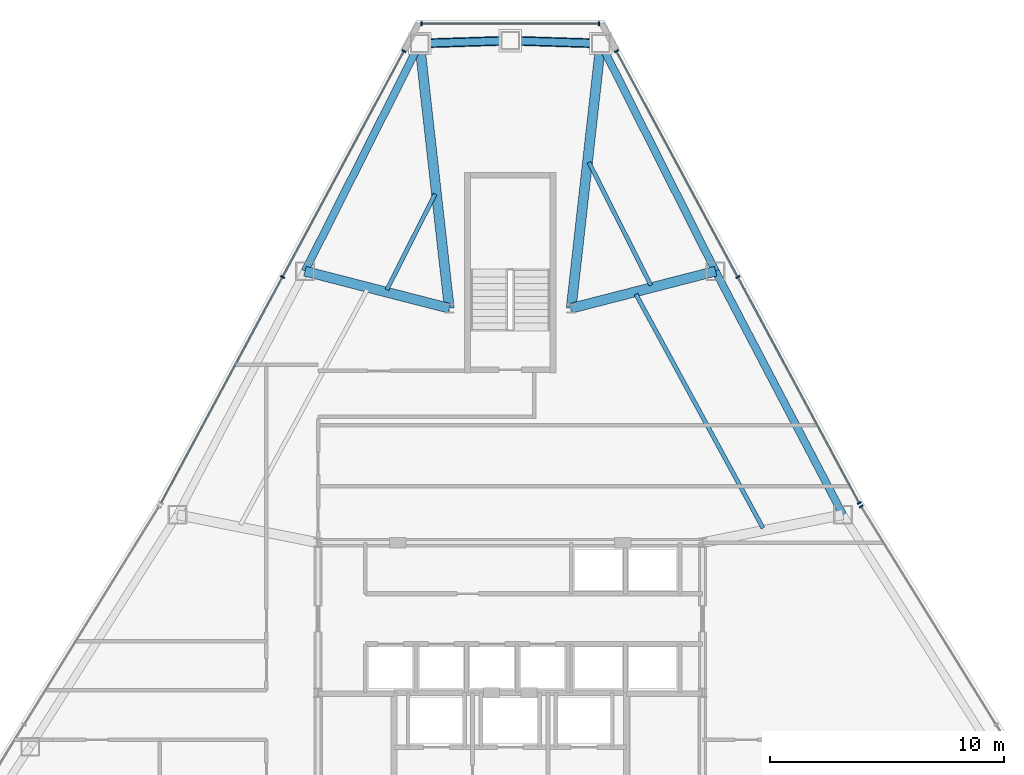
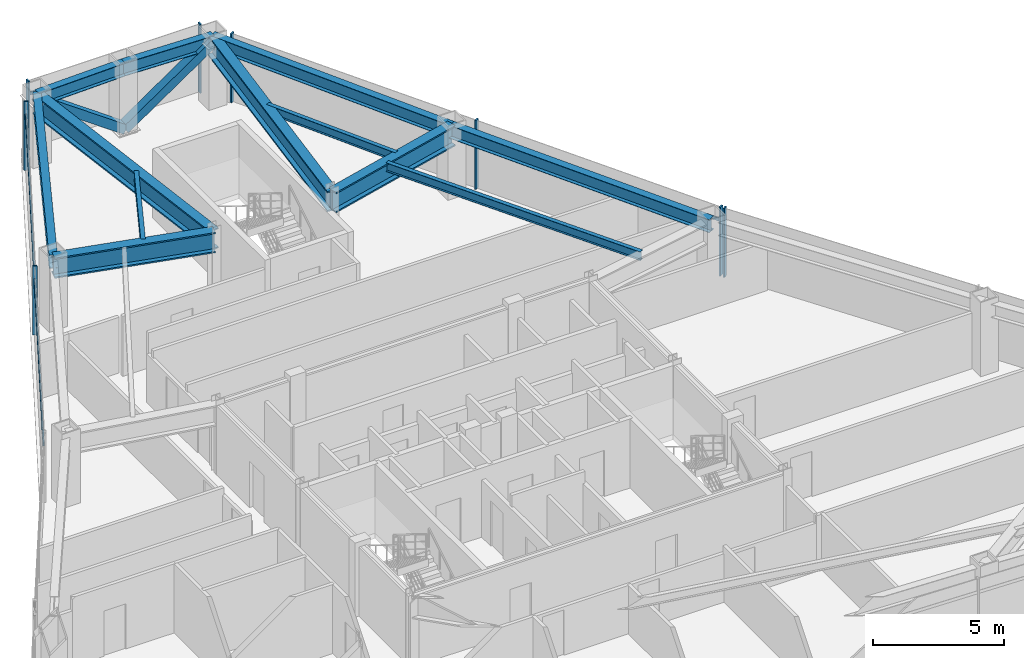
# One storey, part 8 of 13: 13 members, 12 beams, 4 elements without a shape of their own.
"""IFC4 building model written with IfcOpenShell, lengths in metres."""

from ifc_helpers import new_model, si_unit, direction, frame, origin, origin_2d, place, context, subcontext, project, spatial, rectangle, hollow_rectangle, i_section, extrude, source, transform, mapped, material, layer, layer_set, material_profile, profile_set, type_object, type_shapes, element, aggregate, save


model = new_model("IFC4")

# Units and contexts
model_context = context("Model", 3, precision=1e-05, world=origin(), true_north=direction((0.0, 1.0)))
body_context = subcontext(model_context, "Body", "Model", "MODEL_VIEW")
ifc_project = project(units=[si_unit("LENGTHUNIT", "METRE"), si_unit("AREAUNIT", "SQUARE_METRE"), si_unit("VOLUMEUNIT", "CUBIC_METRE"), si_unit("PLANEANGLEUNIT", "RADIAN"), si_unit("MASSUNIT", "GRAM", prefix="KILO")], contexts=[model_context])

# Site, building, storey
site_placement = place(None, origin())
site = spatial("IfcSite", under=ifc_project, at=site_placement, CompositionType="ELEMENT")
building_placement = place(site_placement, origin())
building = spatial("IfcBuilding", under=site, at=building_placement, Name="Varakhsha Concourse Tower", CompositionType="ELEMENT")
storey_placement = place(building_placement, frame((0.0, 0.0, 165.449951171875)))
storey = spatial("IfcBuildingStorey", under=building, at=storey_placement, Name="L47", CompositionType="ELEMENT", Elevation=165.449951171875)

# Beams
ifc_material_1 = material(Name="Structural Steel ASTM A992 Grade 50", Category="steel")
ifc_material_profile_1 = material_profile(ifc_material_1, i_section(OverallWidth=0.177978515625, OverallDepth=0.406982421875, WebThickness=0.008056640625, FlangeThickness=0.012939453125, at=origin_2d()), Name="W16X40")
ifc_profile_set_1 = profile_set([ifc_material_profile_1], Name="Structural Steel ASTM A992 Grade 50")
beam_type_1 = type_object("IfcBeamType", Name="BM-JST-W16X40", PredefinedType="JOIST", material=ifc_profile_set_1)
beam_1_placement = place(storey_placement, frame((36.794677734375, 46.072021484375, 3.006591796875), z_axis=(-0.450098569087, -0.892978878869, 0.0), x_axis=(0.892978878869, -0.450098569087, 0.0)))
element("IfcBeam", 1, at=beam_1_placement, inside=storey, type_object=beam_type_1, Name="BM-TJST-L47-03", PredefinedType="JOIST", context=body_context, shape_type="SweptSolid", body=[
    extrude(i_section(OverallWidth=0.177978515625, OverallDepth=0.406982421875, WebThickness=0.008056640625, FlangeThickness=0.012939453125, at=origin_2d()), origin(), (0.0, 0.0, 1.0), 4.566162109375),
])
beam_2_placement = place(storey_placement, frame((50.7841796875, 31.822021484375, 3.006591796875), z_axis=(-0.477440074464, 0.878664313202, 0.0), x_axis=(-0.878664313202, -0.477440074464, 0.0)))
element("IfcBeam", 2, at=beam_2_placement, inside=storey, type_object=beam_type_1, Name="BM-TJST-L47-17", PredefinedType="JOIST", context=body_context, shape_type="SweptSolid", body=[
    extrude(i_section(OverallWidth=0.177978515625, OverallDepth=0.406982421875, WebThickness=0.008056640625, FlangeThickness=0.012939453125, at=origin_2d()), origin(), (0.0, 0.0, 1.0), 11.355712890625),
])
beam_3_placement = place(storey_placement, frame((45.99951171875, 42.1845703125, 3.006591796875), z_axis=(-0.450121946703, 0.892967095192, 0.0), x_axis=(-0.892967095192, -0.450121946703, 0.0)))
element("IfcBeam", 3, at=beam_3_placement, inside=storey, type_object=beam_type_1, Name="BM-TJST-L47-18", PredefinedType="JOIST", context=body_context, shape_type="SweptSolid", body=[
    extrude(i_section(OverallWidth=0.177978515625, OverallDepth=0.406982421875, WebThickness=0.008056640625, FlangeThickness=0.012939453125, at=origin_2d()), origin(), (0.0, 0.0, 1.0), 5.871337890625),
])
ifc_material_profile_2 = material_profile(ifc_material_1, i_section(OverallWidth=0.423095703125, OverallDepth=0.947998046875, WebThickness=0.0380859375, FlangeThickness=0.06396484375, at=origin_2d()), Name="W36X302")
ifc_profile_set_2 = profile_set([ifc_material_profile_2], Name="Structural Steel ASTM A992 Grade 50")
beam_type_2 = type_object("IfcBeamType", Name="BM-OUTR-W36X302", PredefinedType="USERDEFINED", material=ifc_profile_set_2)
for number, where, z_axis, x_axis, name in (
    (4, (42.60009765625, 41.199951171875, 2.736083984375), (0.111112815478, 0.993807799444, 0.0), (-0.993807799444, 0.111112815478, 0.0), "L47 Radial Floor Girder 01"),
    (5, (37.39990234375, 41.199951171875, 2.736083984375), (-0.111112815478, 0.993807799444, 0.0), (-0.993807799444, -0.111112815478, 0.0), "L47 Radial Floor Girder 03"),
):
    element("IfcBeam", number, at=place(storey_placement, frame(where, z_axis=z_axis, x_axis=x_axis)), inside=storey, type_object=beam_type_2, Name=name, ObjectType="GIRDER", PredefinedType="USERDEFINED", context=body_context, shape_type="SweptSolid", body=[
        extrude(i_section(OverallWidth=0.423095703125, OverallDepth=0.947998046875, WebThickness=0.0380859375, FlangeThickness=0.06396484375, at=origin_2d()), origin(), (0.0, 0.0, 1.0), 11.3662109375),
    ])
for number, where, z_axis, x_axis, name in (
    (6, (37.39990234375, 41.199951171875, 2.736083984375), (-0.968529433349, 0.248899049289, 0.0), (-0.248899049289, -0.968529433349, 0.0), "L47 Radial Floor Girder 04"),
    (7, (42.60009765625, 41.199951171875, 2.736083984375), (0.968529433349, 0.248899049289, 0.0), (-0.248899049289, 0.968529433349, 0.0), "L47 Radial Floor Girder 18"),
):
    element("IfcBeam", number, at=place(storey_placement, frame(where, z_axis=z_axis, x_axis=x_axis)), inside=storey, type_object=beam_type_2, Name=name, ObjectType="GIRDER", PredefinedType="USERDEFINED", context=body_context, shape_type="SweptSolid", body=[
        extrude(i_section(OverallWidth=0.423095703125, OverallDepth=0.947998046875, WebThickness=0.0380859375, FlangeThickness=0.06396484375, at=origin_2d()), origin(), (0.0, 0.0, 1.0), 6.359130859375),
    ])
ifc_material_profile_3 = material_profile(ifc_material_1, i_section(OverallWidth=0.323974609375, OverallDepth=0.611083984375, WebThickness=0.012939453125, FlangeThickness=0.01904296875, at=origin_2d()), Name="W24X104")
ifc_profile_set_3 = profile_set([ifc_material_profile_3], Name="Structural Steel ASTM A992 Grade 50")
beam_type_3 = type_object("IfcBeamType", Name="BM-SPAN-W24X104", PredefinedType="SPANDREL", material=ifc_profile_set_3)
for number, where, z_axis, x_axis, name in (
    (8, (43.863037109375, 52.495849609375, 2.904541015625), (-0.999497111061, 0.031710013888, 0.0), (-0.031710013888, -0.999497111061, 0.0), "BM-SPAN-L47-01"),
    (9, (40.0, 52.618408203125, 2.904541015625), (-0.999497111061, -0.031710013888, 0.0), (0.031710013888, -0.999497111061, 0.0), "BM-SPAN-L47-02"),
):
    element("IfcBeam", number, at=place(storey_placement, frame(where, z_axis=z_axis, x_axis=x_axis)), inside=storey, type_object=beam_type_3, Name=name, PredefinedType="SPANDREL", context=body_context, shape_type="SweptSolid", body=[
        extrude(i_section(OverallWidth=0.323974609375, OverallDepth=0.611083984375, WebThickness=0.012939453125, FlangeThickness=0.01904296875, at=origin_2d()), origin(), (0.0, 0.0, 1.0), 3.864990234375),
    ])
beam_4_placement = place(storey_placement, frame((36.136962890625, 52.495849609375, 2.904541015625), z_axis=(-0.450111133231, -0.892972545906, 0.0), x_axis=(0.892972545906, -0.450111133231, 0.0)))
element("IfcBeam", 10, at=beam_4_placement, inside=storey, type_object=beam_type_3, Name="BM-SPAN-L47-03", PredefinedType="SPANDREL", context=body_context, shape_type="SweptSolid", body=[
    extrude(i_section(OverallWidth=0.323974609375, OverallDepth=0.611083984375, WebThickness=0.012939453125, FlangeThickness=0.01904296875, at=origin_2d()), origin(), (0.0, 0.0, 1.0), 10.877197265625),
])
beam_5_placement = place(storey_placement, frame((54.192138671875, 32.393798828125, 2.904541015625), z_axis=(-0.463424073091, 0.886136630819, 0.0), x_axis=(-0.886136630819, -0.463424073091, 0.0)))
element("IfcBeam", 11, at=beam_5_placement, inside=storey, type_object=beam_type_3, Name="BM-SPAN-L47-17", PredefinedType="SPANDREL", context=body_context, shape_type="SweptSolid", body=[
    extrude(i_section(OverallWidth=0.323974609375, OverallDepth=0.611083984375, WebThickness=0.012939453125, FlangeThickness=0.01904296875, at=origin_2d()), origin(), (0.0, 0.0, 1.0), 11.723876953125),
])
beam_6_placement = place(storey_placement, frame((48.759033203125, 42.78271484375, 2.904541015625), z_axis=(-0.450111133231, 0.892972545906, 0.0), x_axis=(-0.892972545906, -0.450111133231, 0.0)))
element("IfcBeam", 12, at=beam_6_placement, inside=storey, type_object=beam_type_3, Name="BM-SPAN-L47-18", PredefinedType="SPANDREL", context=body_context, shape_type="SweptSolid", body=[
    extrude(i_section(OverallWidth=0.323974609375, OverallDepth=0.611083984375, WebThickness=0.012939453125, FlangeThickness=0.01904296875, at=origin_2d()), origin(), (0.0, 0.0, 1.0), 10.877197265625),
])

# Members
ifc_material_2 = material(Name="Structural Steel ASTM A500 Grade C", Category="steel")
ifc_material_profile_4 = material_profile(ifc_material_2, hollow_rectangle(XDim=0.39990234375, YDim=0.39990234375, WallThickness=0.01611328125, at=origin_2d()), Name="HSS 400x400x16")
ifc_profile_set_4 = profile_set([ifc_material_profile_4], Name="Structural Steel ASTM A500 Grade C")
member_type_1 = type_object("IfcMemberType", Name="MB-TUBE-HSS400", PredefinedType="BRACE", material=ifc_profile_set_4)
shared_shape_1 = source(origin(), body_context, "Body", "SweptSolid", [
    extrude(hollow_rectangle(XDim=0.39990234375, YDim=0.39990234375, WallThickness=0.01611328125, at=origin_2d()), origin(), (0.0, 0.0, 1.0), 4.766845703125),
])
type_shapes(member_type_1, [shared_shape_1])
for number, where, z_axis, x_axis, name in (
    (13, (40.0, 52.618408203125, 0.1201171875), (0.810404482099, -0.025710867093, 0.585306352868), (0.031710013888, 0.999497111061, 0.0), "L47 Wind-Corner Tube Brace B01"),
    (14, (40.0, 52.618408203125, 0.1201171875), (-0.810404482099, -0.025710867093, 0.585306352868), (0.031710013888, -0.999497111061, 0.0), "L47 Wind-Corner Tube Brace B02"),
):
    element("IfcMember", number, at=place(storey_placement, frame(where, z_axis=z_axis, x_axis=x_axis)), inside=storey, type_object=member_type_1, Name=name, PredefinedType="BRACE", context=body_context, shape_type="MappedRepresentation", body=[
        mapped(shared_shape_1, transform((0.0, 0.0, 0.0), scale=1.0)),
    ])

# Curtain wall, members
ifc_material_3 = material(Name="Anodised Bronze Architectural Aluminium AA 6063-T6", Category="aluminium")
ifc_layer = layer(ifc_material_3, 0.2099609375, Name="CW-SYS-04")
ifc_layer_set = layer_set([ifc_layer], Name="Anodised Bronze Architectural Aluminium AA 6063-T6")
curtain_wall_type = type_object("IfcCurtainWallType", Name="CW-SYS-04", PredefinedType="NOTDEFINED", material=ifc_layer_set)
curtain_wall_1_placement = place(storey_placement, origin())
curtain_wall_1 = element("IfcCurtainWall", 15, at=curtain_wall_1_placement, inside=storey, type_object=curtain_wall_type, Name="L47 Chamfer Curtain Wall F1", PredefinedType="NOTDEFINED")
ifc_material_profile_5 = material_profile(ifc_material_3, rectangle(XDim=0.06494140625, YDim=0.179931640625, at=origin_2d()), Name="CWM-180X65")
ifc_profile_set_5 = profile_set([ifc_material_profile_5], Name="Anodised Bronze Architectural Aluminium AA 6063-T6")
member_type_2 = type_object("IfcMemberType", Name="CWM-180X65", PredefinedType="MULLION", material=ifc_profile_set_5)
shared_shape_2 = source(origin(), body_context, "Body", "SweptSolid", [
    extrude(rectangle(XDim=0.06494140625, YDim=0.179931640625, at=origin_2d()), origin(), (0.0, 0.0, 1.0), 3.2099609375),
])
type_shapes(member_type_2, [shared_shape_2])
member_1_placement = place(storey_placement, frame((36.219970703125, 53.33837890625, 0.0), z_axis=(0.0, 0.0, 1.0), x_axis=(1.0, 0.0, 0.0)))
member_1 = element("IfcMember", 16, at=member_1_placement, type_object=member_type_2, Name="CW-L47-F1 Mullion 00", PredefinedType="MULLION", context=body_context, shape_type="MappedRepresentation", body=[
    mapped(shared_shape_2, transform((0.0, 0.0, 0.0), scale=1.0)),
])
member_2_placement = place(storey_placement, frame((43.780029296875, 53.33837890625, 0.0), z_axis=(0.0, 0.0, 1.0), x_axis=(1.0, 0.0, 0.0)))
member_2 = element("IfcMember", 17, at=member_2_placement, type_object=member_type_2, Name="CW-L47-F1 Mullion 01", PredefinedType="MULLION", context=body_context, shape_type="MappedRepresentation", body=[
    mapped(shared_shape_2, transform((0.0, 0.0, 0.0), scale=1.0)),
])

curtain_wall_2_placement = place(storey_placement, origin())
curtain_wall_2 = element("IfcCurtainWall", 18, at=curtain_wall_2_placement, inside=storey, type_object=curtain_wall_type, Name="L47 Crystal Curtain Wall F2", PredefinedType="NOTDEFINED")
member_3_placement = place(storey_placement, frame((30.28955078125, 42.533203125, 0.0), z_axis=(0.0, 0.0, 1.0), x_axis=(0.473336578986, 0.880881650958, 0.0)))
member_3 = element("IfcMember", 19, at=member_3_placement, type_object=member_type_2, Name="CW-L47-F2 Mullion 01", PredefinedType="MULLION", context=body_context, shape_type="MappedRepresentation", body=[
    mapped(shared_shape_2, transform((0.0, 0.0, 0.0), scale=1.0)),
])
member_4_placement = place(storey_placement, frame((35.46875, 52.171875, 0.0), z_axis=(0.0, 0.0, 1.0), x_axis=(0.473336578986, 0.880881650958, 0.0)))
member_4 = element("IfcMember", 20, at=member_4_placement, type_object=member_type_2, Name="CW-L47-F2 Mullion 02", PredefinedType="MULLION", context=body_context, shape_type="MappedRepresentation", body=[
    mapped(shared_shape_2, transform((0.0, 0.0, 0.0), scale=1.0)),
])

# Curtain wall, member
curtain_wall_3_placement = place(storey_placement, origin())
curtain_wall_3 = element("IfcCurtainWall", 21, at=curtain_wall_3_placement, inside=storey, type_object=curtain_wall_type, Name="L47 Crystal Curtain Wall F8", PredefinedType="NOTDEFINED")
member_5_placement = place(storey_placement, frame((54.974609375, 32.74755859375, 0.0), z_axis=(0.0, 0.0, 1.0), x_axis=(0.526199082126, -0.850361409032, 0.0)))
member_5 = element("IfcMember", 22, at=member_5_placement, type_object=member_type_2, Name="CW-L47-F8 Mullion 00", PredefinedType="MULLION", context=body_context, shape_type="MappedRepresentation", body=[
    mapped(shared_shape_2, transform((0.0, 0.0, 0.0), scale=1.0)),
])
aggregate(curtain_wall_3, [member_5])

# Curtain wall, members
curtain_wall_4_placement = place(storey_placement, origin())
curtain_wall_4 = element("IfcCurtainWall", 23, at=curtain_wall_4_placement, inside=storey, type_object=curtain_wall_type, Name="L47 Crystal Curtain Wall F9", PredefinedType="NOTDEFINED")
member_6_placement = place(storey_placement, frame((44.53125, 52.171875, 0.0), z_axis=(0.0, 0.0, 1.0), x_axis=(0.473336578986, -0.880881650958, 0.0)))
member_6 = element("IfcMember", 24, at=member_6_placement, type_object=member_type_2, Name="CW-L47-F9 Mullion 00", PredefinedType="MULLION", context=body_context, shape_type="MappedRepresentation", body=[
    mapped(shared_shape_2, transform((0.0, 0.0, 0.0), scale=1.0)),
])
member_7_placement = place(storey_placement, frame((49.71044921875, 42.533203125, 0.0), z_axis=(0.0, 0.0, 1.0), x_axis=(0.473336578986, -0.880881650958, 0.0)))
member_7 = element("IfcMember", 25, at=member_7_placement, type_object=member_type_2, Name="CW-L47-F9 Mullion 01", PredefinedType="MULLION", context=body_context, shape_type="MappedRepresentation", body=[
    mapped(shared_shape_2, transform((0.0, 0.0, 0.0), scale=1.0)),
])
member_8_placement = place(storey_placement, frame((54.889892578125, 32.89453125, 0.0), z_axis=(0.0, 0.0, 1.0), x_axis=(0.473336578986, -0.880881650958, 0.0)))
member_8 = element("IfcMember", 26, at=member_8_placement, type_object=member_type_2, Name="CW-L47-F9 Mullion 02", PredefinedType="MULLION", context=body_context, shape_type="MappedRepresentation", body=[
    mapped(shared_shape_2, transform((0.0, 0.0, 0.0), scale=1.0)),
])

# Member
ifc_material_profile_6 = material_profile(ifc_material_3, rectangle(XDim=0.06005859375, YDim=0.139892578125, at=origin_2d()), Name="CWT-140X60")
ifc_profile_set_6 = profile_set([ifc_material_profile_6], Name="Anodised Bronze Architectural Aluminium AA 6063-T6")
member_type_3 = type_object("IfcMemberType", Name="CWT-140X60", PredefinedType="USERDEFINED", material=ifc_profile_set_6)
shared_shape_3 = source(origin(), body_context, "Body", "SweptSolid", [
    extrude(rectangle(XDim=0.06005859375, YDim=0.139892578125, at=origin_2d()), origin(), (0.0, 0.0, 1.0), 21.88427734375),
])
member_9_placement = place(storey_placement, frame((25.110107421875, 32.89453125, 2.56005859375), z_axis=(0.473339245007, 0.880880218382, 0.0), x_axis=(-0.880880218382, 0.473339245007, 0.0)))
member_9 = element("IfcMember", 27, at=member_9_placement, type_object=member_type_3, Name="CW-L47-F2 Transom 01", ObjectType="TRANSOM", PredefinedType="USERDEFINED", context=body_context, shape_type="MappedRepresentation", body=[
    mapped(shared_shape_3, transform((0.0, 0.0, 0.0), scale=1.0)),
])

aggregate(curtain_wall_2, [member_3, member_4, member_9])

member_10_placement = place(storey_placement, frame((44.53125, 52.171875, 2.56005859375), z_axis=(0.473339245007, -0.880880218382, 0.0), x_axis=(0.880880218382, 0.473339245007, 0.0)))
member_10 = element("IfcMember", 28, at=member_10_placement, type_object=member_type_3, Name="CW-L47-F9 Transom 01", ObjectType="TRANSOM", PredefinedType="USERDEFINED", context=body_context, shape_type="MappedRepresentation", body=[
    mapped(shared_shape_3, transform((0.0, 0.0, 0.0), scale=1.0)),
])

aggregate(curtain_wall_4, [member_6, member_7, member_8, member_10])

shared_shape_4 = source(origin(), body_context, "Body", "SweptSolid", [
    extrude(rectangle(XDim=0.06005859375, YDim=0.139892578125, at=origin_2d()), origin(), (0.0, 0.0, 1.0), 7.56005859375),
])
type_shapes(member_type_3, [shared_shape_3, shared_shape_4])
member_11_placement = place(storey_placement, frame((36.219970703125, 53.33837890625, 2.56005859375), z_axis=(1.0, 0.0, 0.0), x_axis=(0.0, 1.0, 0.0)))
member_11 = element("IfcMember", 29, at=member_11_placement, type_object=member_type_3, Name="CW-L47-F1 Transom 01", ObjectType="TRANSOM", PredefinedType="USERDEFINED", context=body_context, shape_type="MappedRepresentation", body=[
    mapped(shared_shape_4, transform((0.0, 0.0, 0.0), scale=1.0)),
])

aggregate(curtain_wall_1, [member_1, member_2, member_11])

save(model, "model.ifc")
